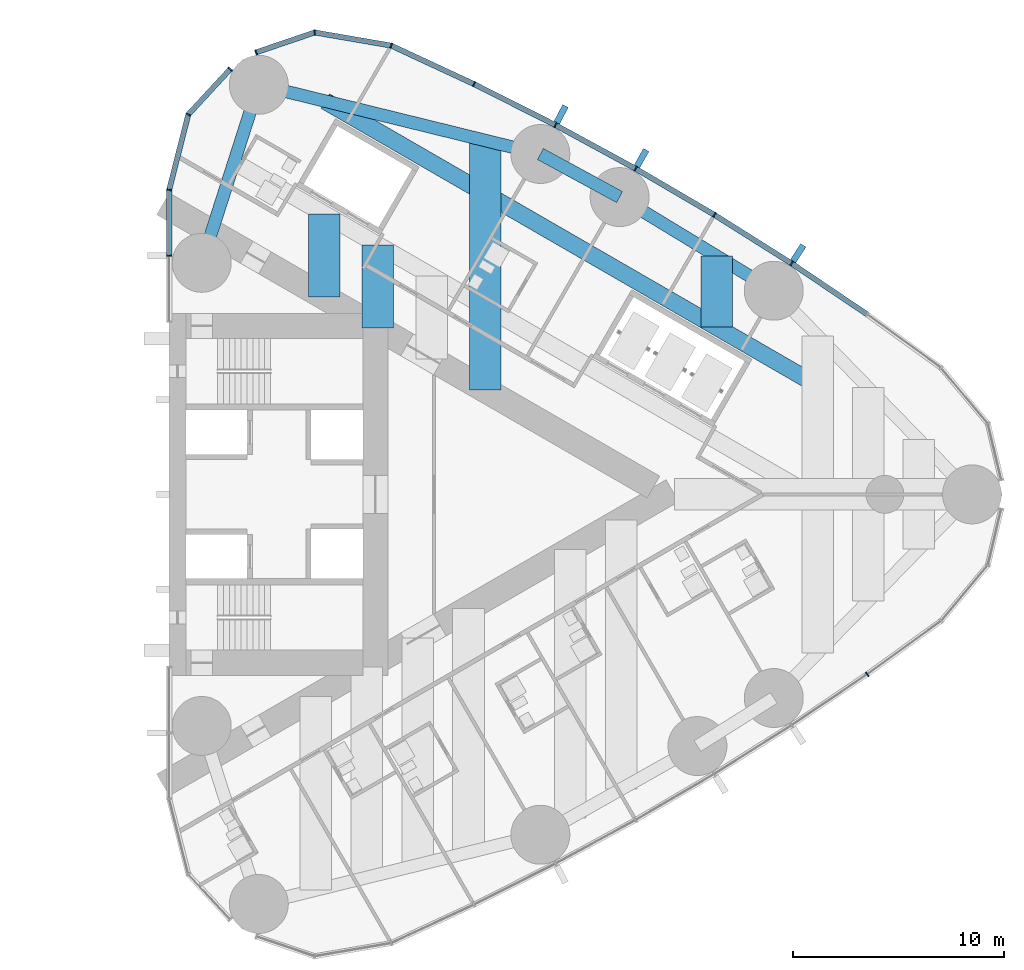
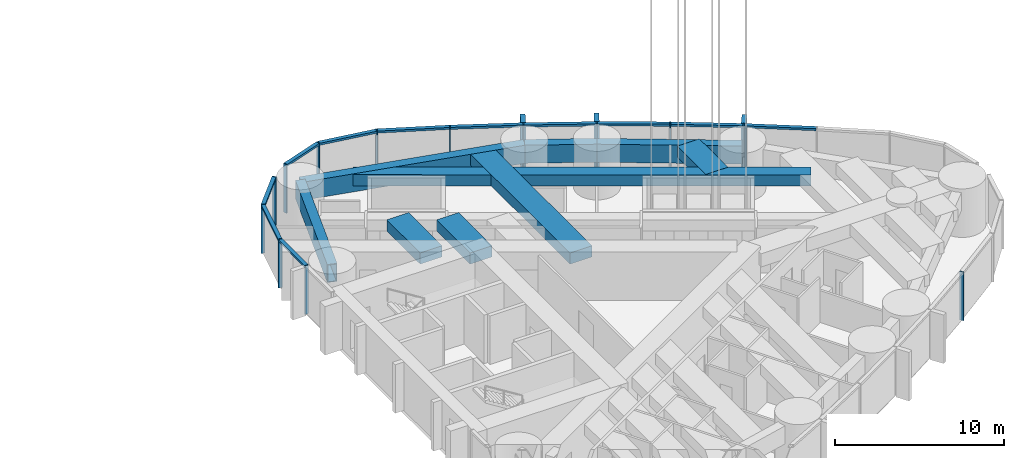
# One storey, part 8 of 21: 27 members, 9 beams, 3 elements without a shape of their own.
"""IFC4 building model written with IfcOpenShell, lengths in metres."""

from ifc_helpers import new_model, si_unit, direction, frame, origin, origin_2d, place, context, subcontext, project, spatial, rectangle, hollow_rectangle, extrude, material, material_profile, profile_set, type_object, element, aggregate, save


model = new_model("IFC4")

# Units and contexts
model_context = context("Model", 3, precision=1e-05, world=origin(), true_north=direction((0.0, 1.0)))
body_context = subcontext(model_context, "Body", "Model", "MODEL_VIEW")
ifc_project = project(units=[si_unit("LENGTHUNIT", "METRE"), si_unit("AREAUNIT", "SQUARE_METRE"), si_unit("VOLUMEUNIT", "CUBIC_METRE"), si_unit("PLANEANGLEUNIT", "RADIAN"), si_unit("MASSUNIT", "GRAM", prefix="KILO")], contexts=[model_context])

# Site, building, storey
site_placement = place(None, origin())
site = spatial("IfcSite", under=ifc_project, at=site_placement, CompositionType="ELEMENT")
building_placement = place(site_placement, origin())
building = spatial("IfcBuilding", under=site, at=building_placement, Name="Lancet Gate Hotel", CompositionType="ELEMENT")
storey_placement = place(building_placement, frame((0.0, 0.0, 156.300048828125)))
storey = spatial("IfcBuildingStorey", under=building, at=storey_placement, Name="L41", CompositionType="ELEMENT", Elevation=156.300048828125)

# Curtain wall, member
ifc_material_1 = material(Name="Aluminium curtain wall", Category="aluminium")
curtain_wall_type = type_object("IfcCurtainWallType", Name="Tower unitised curtain wall", PredefinedType="USERDEFINED", material=ifc_material_1)
curtain_wall_1_placement = place(storey_placement, origin())
curtain_wall_1 = element("IfcCurtainWall", 1, at=curtain_wall_1_placement, inside=storey, type_object=curtain_wall_type, Name="T2 L41 curtain wall 2", ObjectType="UNITISED CURTAIN WALL", PredefinedType="USERDEFINED")
ifc_material_2 = material(Name="Aluminium mullion", Category="aluminium")
ifc_material_profile_1 = material_profile(ifc_material_2, rectangle(XDim=0.06494140625, YDim=0.25, at=origin_2d()), Name="MULLION 65x250")
ifc_profile_set_1 = profile_set([ifc_material_profile_1], Name="Aluminium mullion")
member_type_1 = type_object("IfcMemberType", Name="Aluminium mullion 65x250", PredefinedType="MULLION", material=ifc_profile_set_1)
member_1_placement = place(storey_placement, frame((60.66015625, -8.547607421875, 0.0), z_axis=(0.0, 0.0, 1.0), x_axis=(0.820068208435, 0.572265789222, 0.0)))
member_1 = element("IfcMember", 2, at=member_1_placement, type_object=member_type_1, Name="T2 L41 curtain wall 2 mullion 9", PredefinedType="MULLION", context=body_context, shape_type="SweptSolid", body=[
    extrude(rectangle(XDim=0.06494140625, YDim=0.25, at=origin_2d()), origin(), (0.0, 0.0, 1.0), 3.5),
])
aggregate(curtain_wall_1, [member_1])

# Curtain wall, members
curtain_wall_2_placement = place(storey_placement, origin())
curtain_wall_2 = element("IfcCurtainWall", 3, at=curtain_wall_2_placement, inside=storey, type_object=curtain_wall_type, Name="T2 L41 curtain wall 3", ObjectType="UNITISED CURTAIN WALL", PredefinedType="USERDEFINED")
member_2_placement = place(storey_placement, frame((57.067138671875, 10.970947265625, 0.0), z_axis=(0.0, 0.0, 1.0), x_axis=(-0.837800943278, 0.545975804815, 0.0)))
member_2 = element("IfcMember", 4, at=member_2_placement, type_object=member_type_1, Name="T2 L41 curtain wall 3 mullion 5", PredefinedType="MULLION", context=body_context, shape_type="SweptSolid", body=[
    extrude(rectangle(XDim=0.06494140625, YDim=0.25, at=origin_2d()), origin(), (0.0, 0.0, 1.0), 3.5),
])
member_3_placement = place(storey_placement, frame((53.39892578125, 13.279541015625, 0.0), z_axis=(0.0, 0.0, 1.0), x_axis=(-0.854691174453, 0.519136779965, 0.0)))
member_3 = element("IfcMember", 5, at=member_3_placement, type_object=member_type_1, Name="T2 L41 curtain wall 3 mullion 6", PredefinedType="MULLION", context=body_context, shape_type="SweptSolid", body=[
    extrude(rectangle(XDim=0.06494140625, YDim=0.25, at=origin_2d()), origin(), (0.0, 0.0, 1.0), 3.5),
])
member_4_placement = place(storey_placement, frame((49.65966796875, 15.47021484375, 0.0), z_axis=(0.0, 0.0, 1.0), x_axis=(-0.870721916932, 0.491775704336, 0.0)))
member_4 = element("IfcMember", 6, at=member_4_placement, type_object=member_type_1, Name="T2 L41 curtain wall 3 mullion 7", PredefinedType="MULLION", context=body_context, shape_type="SweptSolid", body=[
    extrude(rectangle(XDim=0.06494140625, YDim=0.25, at=origin_2d()), origin(), (0.0, 0.0, 1.0), 3.5),
])
member_5_placement = place(storey_placement, frame((45.8525390625, 17.54150390625, 0.0), z_axis=(0.0, 0.0, 1.0), x_axis=(-0.885877049989, 0.463920092584, 0.0)))
member_5 = element("IfcMember", 7, at=member_5_placement, type_object=member_type_1, Name="T2 L41 curtain wall 3 mullion 8", PredefinedType="MULLION", context=body_context, shape_type="SweptSolid", body=[
    extrude(rectangle(XDim=0.06494140625, YDim=0.25, at=origin_2d()), origin(), (0.0, 0.0, 1.0), 3.5),
])
member_6_placement = place(storey_placement, frame((41.98193359375, 19.490966796875, 0.0), z_axis=(0.0, 0.0, 1.0), x_axis=(-0.900141333422, 0.435597956681, 0.0)))
member_6 = element("IfcMember", 8, at=member_6_placement, type_object=member_type_1, Name="T2 L41 curtain wall 3 mullion 9", PredefinedType="MULLION", context=body_context, shape_type="SweptSolid", body=[
    extrude(rectangle(XDim=0.06494140625, YDim=0.25, at=origin_2d()), origin(), (0.0, 0.0, 1.0), 3.5),
])
member_7_placement = place(storey_placement, frame((38.05126953125, 21.31689453125, 0.0), z_axis=(0.0, 0.0, 1.0), x_axis=(-0.951355493327, 0.308095318555, 0.0)))
member_7 = element("IfcMember", 9, at=member_7_placement, type_object=member_type_1, Name="T2 L41 curtain wall 3 mullion 10", PredefinedType="MULLION", context=body_context, shape_type="SweptSolid", body=[
    extrude(rectangle(XDim=0.06494140625, YDim=0.25, at=origin_2d()), origin(), (0.0, 0.0, 1.0), 3.5),
])
member_8_placement = place(storey_placement, frame((34.412109375, 21.9423828125, 0.0), z_axis=(0.0, 0.0, 1.0), x_axis=(-0.99877556888, -0.049470829879, 0.0)))
member_8 = element("IfcMember", 10, at=member_8_placement, type_object=member_type_1, Name="T2 L41 curtain wall 3 mullion 11", PredefinedType="MULLION", context=body_context, shape_type="SweptSolid", body=[
    extrude(rectangle(XDim=0.06494140625, YDim=0.25, at=origin_2d()), origin(), (0.0, 0.0, 1.0), 3.5),
])
member_9_placement = place(storey_placement, frame((31.631591796875, 20.998779296875, 0.0), z_axis=(0.0, 0.0, 1.0), x_axis=(-0.946952368511, -0.321373943827, 0.0)))
member_9 = element("IfcMember", 11, at=member_9_placement, type_object=member_type_1, Name="T2 L41 curtain wall 3 mullion 12", PredefinedType="MULLION", context=body_context, shape_type="SweptSolid", body=[
    extrude(rectangle(XDim=0.06494140625, YDim=0.25, at=origin_2d()), origin(), (0.0, 0.0, 1.0), 3.5),
])

curtain_wall_3_placement = place(storey_placement, origin())
curtain_wall_3 = element("IfcCurtainWall", 12, at=curtain_wall_3_placement, inside=storey, type_object=curtain_wall_type, Name="T2 L41 curtain wall 4", ObjectType="UNITISED CURTAIN WALL", PredefinedType="USERDEFINED")
member_10_placement = place(storey_placement, frame((30.40185546875, 20.199951171875, 0.0), z_axis=(0.0, 0.0, 1.0), x_axis=(-0.67883123083, -0.734294327943, 0.0)))
member_10 = element("IfcMember", 13, at=member_10_placement, type_object=member_type_1, Name="T2 L41 curtain wall 4 mullion 1", PredefinedType="MULLION", context=body_context, shape_type="SweptSolid", body=[
    extrude(rectangle(XDim=0.06494140625, YDim=0.25, at=origin_2d()), origin(), (0.0, 0.0, 1.0), 3.5),
])
member_11_placement = place(storey_placement, frame((28.408935546875, 18.04443359375, 0.0), z_axis=(0.0, 0.0, 1.0), x_axis=(-0.451505925065, -0.892268120932, 0.0)))
member_11 = element("IfcMember", 14, at=member_11_placement, type_object=member_type_1, Name="T2 L41 curtain wall 4 mullion 2", PredefinedType="MULLION", context=body_context, shape_type="SweptSolid", body=[
    extrude(rectangle(XDim=0.06494140625, YDim=0.25, at=origin_2d()), origin(), (0.0, 0.0, 1.0), 3.5),
])
member_12_placement = place(storey_placement, frame((27.5, 14.465576171875, 0.0), z_axis=(0.0, 0.0, 1.0), x_axis=(-0.134206524909, -0.990953383703, 0.0)))
member_12 = element("IfcMember", 15, at=member_12_placement, type_object=member_type_1, Name="T2 L41 curtain wall 4 mullion 3", PredefinedType="MULLION", context=body_context, shape_type="SweptSolid", body=[
    extrude(rectangle(XDim=0.06494140625, YDim=0.25, at=origin_2d()), origin(), (0.0, 0.0, 1.0), 3.5),
])
member_13_placement = place(storey_placement, frame((27.5, 11.332763671875, 0.0), z_axis=(0.0, 0.0, 1.0), x_axis=(0.0, -1.0, 0.0)))
member_13 = element("IfcMember", 16, at=member_13_placement, type_object=member_type_1, Name="T2 L41 curtain wall 4 mullion 4", PredefinedType="MULLION", context=body_context, shape_type="SweptSolid", body=[
    extrude(rectangle(XDim=0.06494140625, YDim=0.25, at=origin_2d()), origin(), (0.0, 0.0, 1.0), 3.5),
])

# Member
ifc_material_3 = material(Name="Aluminium transom", Category="aluminium")
ifc_material_profile_2 = material_profile(ifc_material_3, rectangle(XDim=0.25, YDim=0.14990234375, at=origin_2d()), Name="TRANSOM 250x150")
ifc_profile_set_2 = profile_set([ifc_material_profile_2], Name="Aluminium transom")
member_type_2 = type_object("IfcMemberType", Name="Aluminium transom 250x150", PredefinedType="USERDEFINED", material=ifc_profile_set_2)
member_14_placement = place(storey_placement, frame((60.63330078125, 8.565673828125, 3.425048828125), z_axis=(-0.829046850689, 0.559179147826, 0.0), x_axis=(-0.559179147826, -0.829046850689, 0.0)))
member_14 = element("IfcMember", 17, at=member_14_placement, type_object=member_type_2, Name="T2 L41 curtain wall 3 transom 4", ObjectType="TRANSOM", PredefinedType="USERDEFINED", context=body_context, shape_type="SweptSolid", body=[
    extrude(rectangle(XDim=0.25, YDim=0.14990234375, at=origin_2d()), origin(), (0.0, 0.0, 1.0), 4.26904296875),
])

member_15_placement = place(storey_placement, frame((57.03955078125, 10.98828125, 3.425048828125), z_axis=(-0.846333101657, 0.532653997488, 0.0), x_axis=(-0.532653997488, -0.846333101657, 0.0)))
member_15 = element("IfcMember", 18, at=member_15_placement, type_object=member_type_2, Name="T2 L41 curtain wall 3 transom 5", ObjectType="TRANSOM", PredefinedType="USERDEFINED", context=body_context, shape_type="SweptSolid", body=[
    extrude(rectangle(XDim=0.25, YDim=0.14990234375, at=origin_2d()), origin(), (0.0, 0.0, 1.0), 4.26904296875),
])

member_16_placement = place(storey_placement, frame((53.37109375, 13.2958984375, 3.425048828125), z_axis=(-0.862825279032, 0.505502262966, 0.0), x_axis=(-0.505502262966, -0.862825279032, 0.0)))
member_16 = element("IfcMember", 19, at=member_16_placement, type_object=member_type_2, Name="T2 L41 curtain wall 3 transom 6", ObjectType="TRANSOM", PredefinedType="USERDEFINED", context=body_context, shape_type="SweptSolid", body=[
    extrude(rectangle(XDim=0.25, YDim=0.14990234375, at=origin_2d()), origin(), (0.0, 0.0, 1.0), 4.26904296875),
])

member_17_placement = place(storey_placement, frame((49.631103515625, 15.48583984375, 3.425048828125), z_axis=(-0.878404302735, 0.477918278513, 0.0), x_axis=(-0.477918278513, -0.878404302735, 0.0)))
member_17 = element("IfcMember", 20, at=member_17_placement, type_object=member_type_2, Name="T2 L41 curtain wall 3 transom 7", ObjectType="TRANSOM", PredefinedType="USERDEFINED", context=body_context, shape_type="SweptSolid", body=[
    extrude(rectangle(XDim=0.25, YDim=0.14990234375, at=origin_2d()), origin(), (0.0, 0.0, 1.0), 4.26904296875),
])

member_18_placement = place(storey_placement, frame((45.82373046875, 17.55615234375, 3.425048828125), z_axis=(-0.893130969207, 0.449796700571, 0.0), x_axis=(-0.449796700571, -0.893130969207, 0.0)))
member_18 = element("IfcMember", 21, at=member_18_placement, type_object=member_type_2, Name="T2 L41 curtain wall 3 transom 8", ObjectType="TRANSOM", PredefinedType="USERDEFINED", context=body_context, shape_type="SweptSolid", body=[
    extrude(rectangle(XDim=0.25, YDim=0.14990234375, at=origin_2d()), origin(), (0.0, 0.0, 1.0), 4.26904296875),
])

member_19_placement = place(storey_placement, frame((41.952392578125, 19.504638671875, 3.425048828125), z_axis=(-0.906913768492, 0.421316290357, 0.0), x_axis=(-0.421316290357, -0.906913768492, 0.0)))
member_19 = element("IfcMember", 22, at=member_19_placement, type_object=member_type_2, Name="T2 L41 curtain wall 3 transom 9", ObjectType="TRANSOM", PredefinedType="USERDEFINED", context=body_context, shape_type="SweptSolid", body=[
    extrude(rectangle(XDim=0.25, YDim=0.14990234375, at=origin_2d()), origin(), (0.0, 0.0, 1.0), 4.26904296875),
])

member_20_placement = place(storey_placement, frame((38.019287109375, 21.322265625, 3.425048828125), z_axis=(-0.985536950873, 0.169460669373, 0.0), x_axis=(-0.169460669373, -0.985536950873, 0.0)))
member_20 = element("IfcMember", 23, at=member_20_placement, type_object=member_type_2, Name="T2 L41 curtain wall 3 transom 10", ObjectType="TRANSOM", PredefinedType="USERDEFINED", context=body_context, shape_type="SweptSolid", body=[
    extrude(rectangle(XDim=0.25, YDim=0.14990234375, at=origin_2d()), origin(), (0.0, 0.0, 1.0), 3.627685546875),
])

member_21_placement = place(storey_placement, frame((34.38134765625, 21.93212890625, 3.425048828125), z_axis=(-0.946943122832, -0.321401185625, 0.0), x_axis=(0.321401185625, -0.946943122832, 0.0)))
member_21 = element("IfcMember", 24, at=member_21_placement, type_object=member_type_2, Name="T2 L41 curtain wall 3 transom 11", ObjectType="TRANSOM", PredefinedType="USERDEFINED", context=body_context, shape_type="SweptSolid", body=[
    extrude(rectangle(XDim=0.25, YDim=0.14990234375, at=origin_2d()), origin(), (0.0, 0.0, 1.0), 2.871337890625),
])

member_22_placement = place(storey_placement, frame((30.379638671875, 20.17626953125, 3.425048828125), z_axis=(-0.678792146129, -0.734330458549, 0.0), x_axis=(0.734330458549, -0.678792146129, 0.0)))
member_22 = element("IfcMember", 25, at=member_22_placement, type_object=member_type_2, Name="T2 L41 curtain wall 4 transom 1", ObjectType="TRANSOM", PredefinedType="USERDEFINED", context=body_context, shape_type="SweptSolid", body=[
    extrude(rectangle(XDim=0.25, YDim=0.14990234375, at=origin_2d()), origin(), (0.0, 0.0, 1.0), 2.87060546875),
])

member_23_placement = place(storey_placement, frame((28.40087890625, 18.012939453125, 3.425048828125), z_axis=(-0.246128756616, -0.969237140831, 0.0), x_axis=(0.969237140831, -0.246128756616, 0.0)))
member_23 = element("IfcMember", 26, at=member_23_placement, type_object=member_type_2, Name="T2 L41 curtain wall 4 transom 2", ObjectType="TRANSOM", PredefinedType="USERDEFINED", context=body_context, shape_type="SweptSolid", body=[
    extrude(rectangle(XDim=0.25, YDim=0.14990234375, at=origin_2d()), origin(), (0.0, 0.0, 1.0), 3.62744140625),
])

member_24_placement = place(storey_placement, frame((27.5, 14.43310546875, 3.425048828125), z_axis=(0.0, -1.0, 0.0), x_axis=(1.0, 0.0, 0.0)))
member_24 = element("IfcMember", 27, at=member_24_placement, type_object=member_type_2, Name="T2 L41 curtain wall 4 transom 3", ObjectType="TRANSOM", PredefinedType="USERDEFINED", context=body_context, shape_type="SweptSolid", body=[
    extrude(rectangle(XDim=0.25, YDim=0.14990234375, at=origin_2d()), origin(), (0.0, 0.0, 1.0), 3.06787109375),
])

aggregate(curtain_wall_3, [member_10, member_11, member_12, member_13, member_22, member_23, member_24])

# Beams
ifc_material_4 = material(Name="Steel S460QL", Category="steel")
ifc_material_profile_3 = material_profile(ifc_material_4, hollow_rectangle(XDim=0.60009765625, YDim=1.300048828125, WallThickness=0.050048828125, at=origin_2d()), Name="BOX 1300x600x50")
ifc_profile_set_3 = profile_set([ifc_material_profile_3], Name="Steel S460QL")
beam_type_1 = type_object("IfcBeamType", Name="Edge beam BOX 1300x600x50", PredefinedType="SPANDREL", material=ifc_profile_set_3)
beam_1_placement = place(storey_placement, frame((56.220947265625, 9.67236328125, 2.599853515625), z_axis=(-0.854692251129, 0.519135007353, 0.0), x_axis=(-0.519135007353, -0.854692251129, 0.0)))
element("IfcBeam", 28, at=beam_1_placement, inside=storey, type_object=beam_type_1, Name="T2 edge beam EB2 L41", PredefinedType="SPANDREL", context=body_context, shape_type="SweptSolid", body=[
    extrude(hollow_rectangle(XDim=0.60009765625, YDim=1.300048828125, WallThickness=0.050048828125, at=origin_2d()), origin(), (0.0, 0.0, 1.0), 8.568603515625),
])
beam_2_placement = place(storey_placement, frame((48.8974609375, 14.12060546875, 2.599853515625), z_axis=(-0.878404597051, 0.477917737566, 0.0), x_axis=(-0.477917737566, -0.878404597051, 0.0)))
element("IfcBeam", 29, at=beam_2_placement, inside=storey, type_object=beam_type_1, Name="T2 edge beam EB2 L41", PredefinedType="SPANDREL", context=body_context, shape_type="SweptSolid", body=[
    extrude(hollow_rectangle(XDim=0.60009765625, YDim=1.300048828125, WallThickness=0.050048828125, at=origin_2d()), origin(), (0.0, 0.0, 1.0), 4.284912109375),
])
beam_3_placement = place(storey_placement, frame((45.133544921875, 16.16845703125, 2.599853515625), z_axis=(-0.971093253227, 0.238700426344, 0.0), x_axis=(-0.238700426344, -0.971093253227, 0.0)))
element("IfcBeam", 30, at=beam_3_placement, inside=storey, type_object=beam_type_1, Name="T2 edge beam EB2 L41", PredefinedType="SPANDREL", context=body_context, shape_type="SweptSolid", body=[
    extrude(hollow_rectangle(XDim=0.60009765625, YDim=1.300048828125, WallThickness=0.050048828125, at=origin_2d()), origin(), (0.0, 0.0, 1.0), 13.77197265625),
])
beam_4_placement = place(storey_placement, frame((29.050048828125, 11.0, 2.599853515625), z_axis=(0.305169772986, 0.952297962644, 0.0), x_axis=(-0.952297962644, 0.305169772986, 0.0)))
element("IfcBeam", 31, at=beam_4_placement, inside=storey, type_object=beam_type_1, Name="T2 edge beam EB2 L41", PredefinedType="SPANDREL", context=body_context, shape_type="SweptSolid", body=[
    extrude(hollow_rectangle(XDim=0.60009765625, YDim=1.300048828125, WallThickness=0.050048828125, at=origin_2d()), origin(), (0.0, 0.0, 1.0), 8.87939453125),
])

# Member
ifc_material_5 = material(Name="Precast concrete C50/60", Category="concrete")
ifc_material_profile_4 = material_profile(ifc_material_5, rectangle(XDim=0.300048828125, YDim=0.89990234375, at=origin_2d()), Name="FIN 300x900")
ifc_profile_set_4 = profile_set([ifc_material_profile_4], Name="Precast concrete C50/60")
member_type_3 = type_object("IfcMemberType", Name="Exposed concrete fin 300x900", PredefinedType="USERDEFINED", material=ifc_profile_set_4)
member_25_placement = place(storey_placement, frame((57.381103515625, 11.452880859375, 0.0), z_axis=(0.0, 0.0, 1.0), x_axis=(-0.837800943278, 0.545975804815, 0.0)))
member_25 = element("IfcMember", 32, at=member_25_placement, type_object=member_type_3, Name="T2 L41 curtain wall 3 fin 5", ObjectType="FIN", PredefinedType="USERDEFINED", context=body_context, shape_type="SweptSolid", body=[
    extrude(rectangle(XDim=0.300048828125, YDim=0.89990234375, at=origin_2d()), origin(), (0.0, 0.0, 1.0), 3.5),
])

member_26_placement = place(storey_placement, frame((49.9423828125, 15.970947265625, 0.0), z_axis=(0.0, 0.0, 1.0), x_axis=(-0.870721916932, 0.491775704336, 0.0)))
member_26 = element("IfcMember", 33, at=member_26_placement, type_object=member_type_3, Name="T2 L41 curtain wall 3 fin 7", ObjectType="FIN", PredefinedType="USERDEFINED", context=body_context, shape_type="SweptSolid", body=[
    extrude(rectangle(XDim=0.300048828125, YDim=0.89990234375, at=origin_2d()), origin(), (0.0, 0.0, 1.0), 3.5),
])

member_27_placement = place(storey_placement, frame((46.119384765625, 18.051025390625, 0.0), z_axis=(0.0, 0.0, 1.0), x_axis=(-0.885877049989, 0.463920092584, 0.0)))
member_27 = element("IfcMember", 34, at=member_27_placement, type_object=member_type_3, Name="T2 L41 curtain wall 3 fin 8", ObjectType="FIN", PredefinedType="USERDEFINED", context=body_context, shape_type="SweptSolid", body=[
    extrude(rectangle(XDim=0.300048828125, YDim=0.89990234375, at=origin_2d()), origin(), (0.0, 0.0, 1.0), 3.5),
])

aggregate(curtain_wall_2, [member_2, member_25, member_3, member_4, member_26, member_5, member_27, member_6, member_7, member_8, member_9, member_14, member_15, member_16, member_17, member_18, member_19, member_20, member_21])

# Beams
ifc_material_6 = material(Name="Concrete C50/60", Category="concrete")
ifc_material_profile_5 = material_profile(ifc_material_6, rectangle(XDim=1.5, YDim=0.800048828125, at=origin_2d()), Name="RC 1500x800")
ifc_profile_set_5 = profile_set([ifc_material_profile_5], Name="Concrete C50/60")
beam_type_2 = type_object("IfcBeamType", Name="Floor beam RC 1500x800", PredefinedType="BEAM", material=ifc_profile_set_5)
beam_5_placement = place(storey_placement, frame((42.51904296875, 4.95556640625, 2.849853515625), z_axis=(0.0, 1.0, 0.0), x_axis=(-1.0, 0.0, 0.0)))
element("IfcBeam", 35, at=beam_5_placement, inside=storey, type_object=beam_type_2, Name="T2 floor beam F08N L41", PredefinedType="BEAM", context=body_context, shape_type="SweptSolid", body=[
    extrude(rectangle(XDim=1.5, YDim=0.800048828125, at=origin_2d()), origin(), (0.0, 0.0, 1.0), 11.85546875),
])
beam_6_placement = place(storey_placement, frame((34.859619140625, 9.377685546875, 2.849853515625), z_axis=(0.0, 1.0, 0.0), x_axis=(-1.0, 0.0, 0.0)))
element("IfcBeam", 36, at=beam_6_placement, inside=storey, type_object=beam_type_2, Name="T2 floor beam F02NA L41", PredefinedType="BEAM", context=body_context, shape_type="SweptSolid", body=[
    extrude(rectangle(XDim=1.5, YDim=0.800048828125, at=origin_2d()), origin(), (0.0, 0.0, 1.0), 3.94580078125),
])
beam_7_placement = place(storey_placement, frame((37.412841796875, 7.903564453125, 2.849853515625), z_axis=(0.0, 1.0, 0.0), x_axis=(-1.0, 0.0, 0.0)))
element("IfcBeam", 37, at=beam_7_placement, inside=storey, type_object=beam_type_2, Name="T2 floor beam F04NA L41", PredefinedType="BEAM", context=body_context, shape_type="SweptSolid", body=[
    extrude(rectangle(XDim=1.5, YDim=0.800048828125, at=origin_2d()), origin(), (0.0, 0.0, 1.0), 3.945556640625),
])
beam_8_placement = place(storey_placement, frame((53.502197265625, 7.94775390625, 2.849853515625), z_axis=(0.0, 1.0, 0.0), x_axis=(-1.0, 0.0, 0.0)))
element("IfcBeam", 38, at=beam_8_placement, inside=storey, type_object=beam_type_2, Name="T2 floor beam F11NB L41", PredefinedType="BEAM", context=body_context, shape_type="SweptSolid", body=[
    extrude(rectangle(XDim=1.5, YDim=0.800048828125, at=origin_2d()), origin(), (0.0, 0.0, 1.0), 3.3759765625),
])
ifc_material_7 = material(Name="Steel S460QL", Category="steel")
ifc_material_profile_6 = material_profile(ifc_material_7, hollow_rectangle(XDim=0.800048828125, YDim=0.800048828125, WallThickness=0.080078125, at=origin_2d()), Name="BOX 800x800x80")
ifc_profile_set_6 = profile_set([ifc_material_profile_6], Name="Steel S460QL")
beam_type_3 = type_object("IfcBeamType", Name="Trimmer beam BOX 800x800x80", PredefinedType="BEAM", material=ifc_profile_set_6)
beam_9_placement = place(storey_placement, frame((34.91259765625, 18.680908203125, 2.849853515625), z_axis=(0.865980252573, -0.500078196039, 0.0), x_axis=(0.500078196039, 0.865980252573, 0.0)))
element("IfcBeam", 39, at=beam_9_placement, inside=storey, type_object=beam_type_3, Name="T2 trimmer beam TR02N L41", PredefinedType="BEAM", context=body_context, shape_type="SweptSolid", body=[
    extrude(hollow_rectangle(XDim=0.800048828125, YDim=0.800048828125, WallThickness=0.080078125, at=origin_2d()), origin(), (0.0, 0.0, 1.0), 27.009521484375),
])

save(model, "model.ifc")
